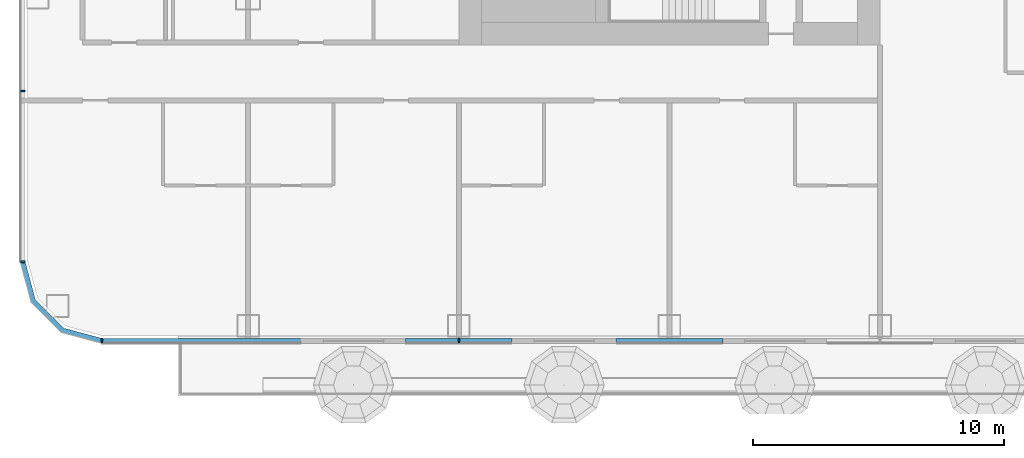
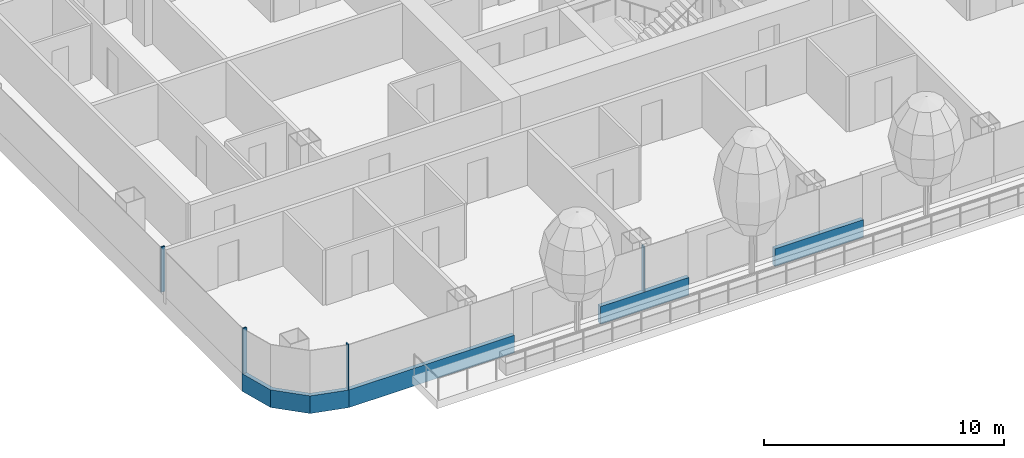
# One storey, part 2 of 35: 8 members, 3 elements without a shape of their own.
"""IFC4 building model written with IfcOpenShell, lengths in metres."""

from ifc_helpers import new_model, si_unit, direction, frame, origin, origin_2d, place, context, subcontext, project, spatial, polyline, rectangle, outline, extrude, material, layer, layer_set, material_profile, profile_set, type_object, element, aggregate, save


model = new_model("IFC4")

# Units and contexts
model_context = context("Model", 3, precision=1e-05, world=origin(), true_north=direction((0.0, 1.0)))
body_context = subcontext(model_context, "Body", "Model", "MODEL_VIEW")
ifc_project = project(units=[si_unit("LENGTHUNIT", "METRE"), si_unit("AREAUNIT", "SQUARE_METRE"), si_unit("VOLUMEUNIT", "CUBIC_METRE"), si_unit("PLANEANGLEUNIT", "RADIAN"), si_unit("MASSUNIT", "GRAM", prefix="KILO")], contexts=[model_context])

# Site, building, storey
site_placement = place(None, origin())
site = spatial("IfcSite", under=ifc_project, at=site_placement, CompositionType="ELEMENT")
building_placement = place(site_placement, origin())
building = spatial("IfcBuilding", under=site, at=building_placement, Name="Hakoniwa Tower and Hamabe Station Hall", CompositionType="ELEMENT")
storey_placement = place(building_placement, frame((0.0, 0.0, 51.800048828125)))
storey = spatial("IfcBuildingStorey", under=building, at=storey_placement, Name="L14", CompositionType="ELEMENT", Elevation=51.800048828125)

# Curtain wall, member
ifc_material_1 = material(Name="Dark low-e laminated glass", Category="glass")
ifc_layer = layer(ifc_material_1, 0.199951171875)
ifc_layer_set = layer_set([ifc_layer], Name="CW-1 UNITISED GUEST")
curtain_wall_type = type_object("IfcCurtainWallType", Name="CW-1 UNITISED GUEST", PredefinedType="NOTDEFINED", material=ifc_layer_set)
curtain_wall_1_placement = place(storey_placement, origin())
curtain_wall_1 = element("IfcCurtainWall", 1, at=curtain_wall_1_placement, inside=storey, type_object=curtain_wall_type, Name="CW-1 curtain wall", PredefinedType="NOTDEFINED")
ifc_material_2 = material(Name="Aluminium 6063-T5 black anodised", Category="aluminium")
ifc_material_profile_1 = material_profile(ifc_material_2, rectangle(XDim=0.199951171875, YDim=0.89990234375, at=origin_2d()), Name="CW SLAB-EDGE BAND 900X200")
ifc_profile_set_1 = profile_set([ifc_material_profile_1], Name="Aluminium 6063-T5 black anodised")
member_type_1 = type_object("IfcMemberType", Name="CW SLAB-EDGE BAND 900X200", PredefinedType="USERDEFINED", material=ifc_profile_set_1)
member_1_placement = place(storey_placement, frame((0.0, 0.0, -0.550048828125)))
member_1 = element("IfcMember", 2, at=member_1_placement, type_object=member_type_1, Name="CW-1 transom", ObjectType="TRANSOM", PredefinedType="USERDEFINED", context=body_context, shape_type="SweptSolid", body=[
    extrude(outline(polyline([(-51.10009765625, -17.03955078125), (-50.6669921875, -18.6552734375), (-49.455322265625, -19.866943359375), (-47.839599609375, -20.300048828125), (-47.787841796875, -20.10693359375), (-49.351806640625, -19.687744140625), (-50.48779296875, -18.5517578125), (-50.90673828125, -16.98779296875), (-51.10009765625, -17.03955078125)])), origin(), (0.0, 0.0, 1.0), 0.89990234375),
])
aggregate(curtain_wall_1, [member_1])

# Curtain wall, members
curtain_wall_2_placement = place(storey_placement, origin())
curtain_wall_2 = element("IfcCurtainWall", 3, at=curtain_wall_2_placement, inside=storey, type_object=curtain_wall_type, Name="CW-1 curtain wall", PredefinedType="NOTDEFINED")
member_2_placement = place(storey_placement, frame((-47.839599609375, -20.199951171875, -0.10009765625), z_axis=(1.0, 0.0, 0.0), x_axis=(0.0, 1.0, 0.0)))
member_2 = element("IfcMember", 4, at=member_2_placement, type_object=member_type_1, Name="CW-1 transom", ObjectType="TRANSOM", PredefinedType="USERDEFINED", context=body_context, shape_type="SweptSolid", body=[
    extrude(rectangle(XDim=0.199951171875, YDim=0.89990234375, at=origin_2d()), origin(), (0.0, 0.0, 1.0), 7.969482421875),
])
member_3_placement = place(storey_placement, frame((-35.72998046875, -20.199951171875, -0.10009765625), z_axis=(1.0, 0.0, 0.0), x_axis=(0.0, 1.0, 0.0)))
member_3 = element("IfcMember", 5, at=member_3_placement, type_object=member_type_1, Name="CW-1 transom", ObjectType="TRANSOM", PredefinedType="USERDEFINED", context=body_context, shape_type="SweptSolid", body=[
    extrude(rectangle(XDim=0.199951171875, YDim=0.89990234375, at=origin_2d()), origin(), (0.0, 0.0, 1.0), 4.260009765625),
])
member_4_placement = place(storey_placement, frame((-27.330078125, -20.199951171875, -0.10009765625), z_axis=(1.0, 0.0, 0.0), x_axis=(0.0, 1.0, 0.0)))
member_4 = element("IfcMember", 6, at=member_4_placement, type_object=member_type_1, Name="CW-1 transom", ObjectType="TRANSOM", PredefinedType="USERDEFINED", context=body_context, shape_type="SweptSolid", body=[
    extrude(rectangle(XDim=0.199951171875, YDim=0.89990234375, at=origin_2d()), origin(), (0.0, 0.0, 1.0), 4.260009765625),
])

curtain_wall_3_placement = place(storey_placement, origin())
curtain_wall_3 = element("IfcCurtainWall", 7, at=curtain_wall_3_placement, inside=storey, type_object=curtain_wall_type, Name="CW-1 curtain wall", PredefinedType="NOTDEFINED")
ifc_material_3 = material(Name="Aluminium 6063-T5 black anodised", Category="aluminium")
ifc_material_profile_2 = material_profile(ifc_material_3, rectangle(XDim=0.06005859375, YDim=0.179931640625, at=origin_2d()), Name="CW-1 MULLION 60X180")
ifc_profile_set_2 = profile_set([ifc_material_profile_2], Name="Aluminium 6063-T5 black anodised")
member_type_2 = type_object("IfcMemberType", Name="CW-1 MULLION 60X180", PredefinedType="MULLION", material=ifc_profile_set_2)
member_5_placement = place(storey_placement, frame((-50.98193359375, -10.2236328125, 0.349853515625), z_axis=(0.0, 0.0, 1.0), x_axis=(0.0, -1.0, 0.0)))
member_5 = element("IfcMember", 8, at=member_5_placement, type_object=member_type_2, Name="CW-1 mullion", PredefinedType="MULLION", context=body_context, shape_type="SweptSolid", body=[
    extrude(rectangle(XDim=0.06005859375, YDim=0.179931640625, at=origin_2d()), origin(), (0.0, 0.0, 1.0), 2.300048828125),
])
member_6_placement = place(storey_placement, frame((-50.98193359375, -17.03955078125, 0.349853515625), z_axis=(0.0, 0.0, 1.0), x_axis=(0.0, -1.0, 0.0)))
member_6 = element("IfcMember", 9, at=member_6_placement, type_object=member_type_2, Name="CW-1 mullion", PredefinedType="MULLION", context=body_context, shape_type="SweptSolid", body=[
    extrude(rectangle(XDim=0.06005859375, YDim=0.179931640625, at=origin_2d()), origin(), (0.0, 0.0, 1.0), 2.300048828125),
])
aggregate(curtain_wall_3, [member_5, member_6])

# Member
member_7_placement = place(storey_placement, frame((-47.839599609375, -20.181884765625, 0.349853515625), z_axis=(0.0, 0.0, 1.0), x_axis=(1.0, 0.0, 0.0)))
member_7 = element("IfcMember", 10, at=member_7_placement, type_object=member_type_2, Name="CW-1 mullion", PredefinedType="MULLION", context=body_context, shape_type="SweptSolid", body=[
    extrude(rectangle(XDim=0.06005859375, YDim=0.179931640625, at=origin_2d()), origin(), (0.0, 0.0, 1.0), 2.300048828125),
])

member_8_placement = place(storey_placement, frame((-33.60009765625, -20.181884765625, 0.349853515625), z_axis=(0.0, 0.0, 1.0), x_axis=(1.0, 0.0, 0.0)))
member_8 = element("IfcMember", 11, at=member_8_placement, type_object=member_type_2, Name="CW-1 mullion", PredefinedType="MULLION", context=body_context, shape_type="SweptSolid", body=[
    extrude(rectangle(XDim=0.06005859375, YDim=0.179931640625, at=origin_2d()), origin(), (0.0, 0.0, 1.0), 2.300048828125),
])

aggregate(curtain_wall_2, [member_7, member_8, member_2, member_3, member_4])

save(model, "model.ifc")
